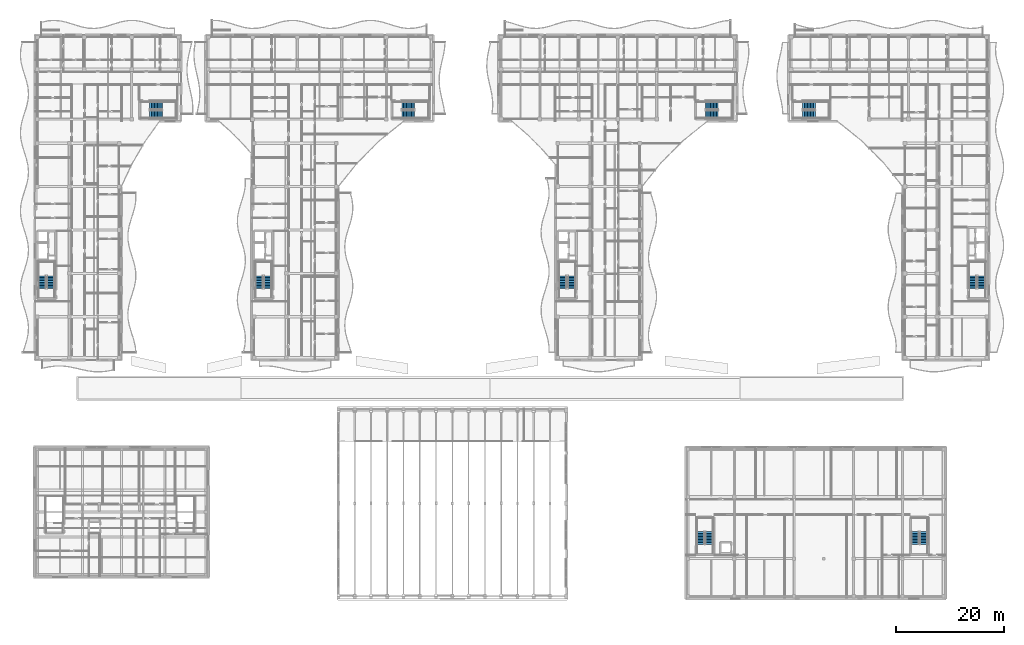
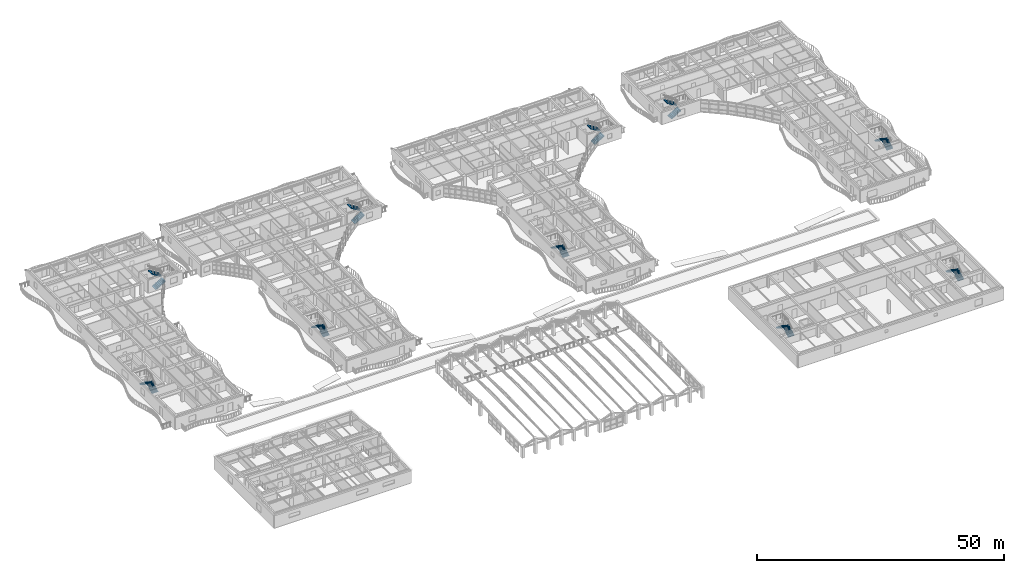
# One storey, part 101 of 128: 20 stair flights, 10 elements without a shape of their own.
"""IFC4 building model written with IfcOpenShell, lengths in metres."""

from ifc_helpers import new_model, si_unit, direction, frame, origin, place, context, subcontext, project, spatial, polyline, outline, extrude, material, type_object, element, aggregate, save


model = new_model("IFC4")

# Units and contexts
model_context = context("Model", 3, precision=1e-05, world=origin(), true_north=direction((0.0, 1.0)))
body_context = subcontext(model_context, "Body", "Model", "MODEL_VIEW")
ifc_project = project(units=[si_unit("LENGTHUNIT", "METRE"), si_unit("AREAUNIT", "SQUARE_METRE"), si_unit("VOLUMEUNIT", "CUBIC_METRE"), si_unit("PLANEANGLEUNIT", "RADIAN"), si_unit("MASSUNIT", "GRAM", prefix="KILO")], contexts=[model_context])

# Site, building, storey
site_placement = place(None, origin())
site = spatial("IfcSite", under=ifc_project, at=site_placement, CompositionType="ELEMENT")
building_placement = place(site_placement, origin())
building = spatial("IfcBuilding", under=site, at=building_placement, Name="Keldmere Railside Commons", CompositionType="ELEMENT")
storey_placement = place(building_placement, frame((0.0, 0.0, 4.159912109375)))
storey = spatial("IfcBuildingStorey", under=building, at=storey_placement, Name="L01", CompositionType="ELEMENT", Elevation=4.159912109375)

# Stair, stair flights
ifc_material = material(Name="Concrete H-30 (C30/37)", Category="concrete")
stair_type_1 = type_object("IfcStairType", Name="Basement Garage Dogleg Escape Stair 1450", PredefinedType="HALF_TURN_STAIR", material=ifc_material)
stair_1_placement = place(storey_placement, origin())
stair_1 = element("IfcStair", 1, at=stair_1_placement, inside=storey, type_object=stair_type_1, Name="L01 Block B Primary Escape Stair 1", PredefinedType="HALF_TURN_STAIR")
stair_flight_type_1 = type_object("IfcStairFlightType", Name="Basement Escape Stair Flight 1450", PredefinedType="STRAIGHT", material=ifc_material)
stair_flight_1_placement = place(storey_placement, frame((106.97509765625, 69.199951171875, 0.0), z_axis=(0.0, 0.0, 1.0), x_axis=(0.0, 1.0, 0.0)))
stair_flight_1 = element("IfcStairFlight", 2, at=stair_flight_1_placement, type_object=stair_flight_type_1, Name="ST-B1 flight 1", NumberOfRisers=9, NumberOfTreads=8, PredefinedType="STRAIGHT", RiserHeight=0.177777778, TreadLength=0.29, context=body_context, shape_type="SweptSolid", body=[
    extrude(outline(polyline([(0.0, 0.0), (0.0, 0.177734375), (0.2900390625, 0.177734375), (0.2900390625, 0.35546875), (0.580078125, 0.35546875), (0.580078125, 0.533447265625), (0.8701171875, 0.533447265625), (0.8701171875, 0.711181640625), (1.159912109375, 0.711181640625), (1.159912109375, 0.888916015625), (1.449951171875, 0.888916015625), (1.449951171875, 1.066650390625), (1.739990234375, 1.066650390625), (1.739990234375, 1.244384765625), (2.030029296875, 1.244384765625), (2.030029296875, 1.422119140625), (2.320068359375, 1.422119140625), (2.320068359375, 1.60009765625), (2.320068359375, 1.211181640625), (0.34423828125, 0.0), (0.0, 0.0)])), frame((0.0, 0.72509765625, 0.0), z_axis=(0.0, -1.0, 0.0), x_axis=(1.0, 0.0, 0.0)), (0.0, 0.0, 1.0), 1.449951171875),
])
stair_flight_2_placement = place(storey_placement, frame((105.375, 71.52001953125, 1.60009765625), z_axis=(0.0, 0.0, 1.0), x_axis=(0.0, -1.0, 0.0)))
stair_flight_2 = element("IfcStairFlight", 3, at=stair_flight_2_placement, type_object=stair_flight_type_1, Name="ST-B1 flight 2", NumberOfRisers=9, NumberOfTreads=8, PredefinedType="STRAIGHT", RiserHeight=0.177777778, TreadLength=0.29, context=body_context, shape_type="SweptSolid", body=[
    extrude(outline(polyline([(0.0, 0.0), (0.0, 0.177734375), (0.2900390625, 0.177734375), (0.2900390625, 0.35546875), (0.580078125, 0.35546875), (0.580078125, 0.533447265625), (0.8701171875, 0.533447265625), (0.8701171875, 0.711181640625), (1.159912109375, 0.711181640625), (1.159912109375, 0.888916015625), (1.449951171875, 0.888916015625), (1.449951171875, 1.066650390625), (1.739990234375, 1.066650390625), (1.739990234375, 1.244384765625), (2.030029296875, 1.244384765625), (2.030029296875, 1.422119140625), (2.320068359375, 1.422119140625), (2.320068359375, 1.60009765625), (2.320068359375, 1.211181640625), (0.34423828125, 0.0), (0.0, 0.0)])), frame((0.0, 0.72509765625, 0.0), z_axis=(0.0, -1.0, 0.0), x_axis=(1.0, 0.0, 0.0)), (0.0, 0.0, 1.0), 1.449951171875),
])
aggregate(stair_1, [stair_flight_1, stair_flight_2])

stair_2_placement = place(storey_placement, origin())
stair_2 = element("IfcStair", 4, at=stair_2_placement, inside=storey, type_object=stair_type_1, Name="L01 Block B Secondary Escape Stair 2", PredefinedType="HALF_TURN_STAIR")
stair_flight_3_placement = place(storey_placement, frame((131.699951171875, 101.324951171875, 0.0), z_axis=(0.0, 0.0, 1.0), x_axis=(1.0, 0.0, 0.0)))
stair_flight_3 = element("IfcStairFlight", 5, at=stair_flight_3_placement, type_object=stair_flight_type_1, Name="ST-B2 flight 1", NumberOfRisers=9, NumberOfTreads=8, PredefinedType="STRAIGHT", RiserHeight=0.177777778, TreadLength=0.29, context=body_context, shape_type="SweptSolid", body=[
    extrude(outline(polyline([(0.0, 0.0), (0.0, 0.177734375), (0.2900390625, 0.177734375), (0.2900390625, 0.35546875), (0.580078125, 0.35546875), (0.580078125, 0.533447265625), (0.8701171875, 0.533447265625), (0.8701171875, 0.711181640625), (1.159912109375, 0.711181640625), (1.159912109375, 0.888916015625), (1.449951171875, 0.888916015625), (1.449951171875, 1.066650390625), (1.739990234375, 1.066650390625), (1.739990234375, 1.244384765625), (2.030029296875, 1.244384765625), (2.030029296875, 1.422119140625), (2.320068359375, 1.422119140625), (2.320068359375, 1.60009765625), (2.320068359375, 1.211181640625), (0.34423828125, 0.0), (0.0, 0.0)])), frame((0.0, 0.72509765625, 0.0), z_axis=(0.0, -1.0, 0.0), x_axis=(1.0, 0.0, 0.0)), (0.0, 0.0, 1.0), 1.449951171875),
])
stair_flight_4_placement = place(storey_placement, frame((134.02001953125, 102.925048828125, 1.60009765625), z_axis=(0.0, 0.0, 1.0), x_axis=(-1.0, 0.0, 0.0)))
stair_flight_4 = element("IfcStairFlight", 6, at=stair_flight_4_placement, type_object=stair_flight_type_1, Name="ST-B2 flight 2", NumberOfRisers=9, NumberOfTreads=8, PredefinedType="STRAIGHT", RiserHeight=0.177777778, TreadLength=0.29, context=body_context, shape_type="SweptSolid", body=[
    extrude(outline(polyline([(0.0, 0.0), (0.0, 0.177734375), (0.2900390625, 0.177734375), (0.2900390625, 0.35546875), (0.580078125, 0.35546875), (0.580078125, 0.533447265625), (0.8701171875, 0.533447265625), (0.8701171875, 0.711181640625), (1.159912109375, 0.711181640625), (1.159912109375, 0.888916015625), (1.449951171875, 0.888916015625), (1.449951171875, 1.066650390625), (1.739990234375, 1.066650390625), (1.739990234375, 1.244384765625), (2.030029296875, 1.244384765625), (2.030029296875, 1.422119140625), (2.320068359375, 1.422119140625), (2.320068359375, 1.60009765625), (2.320068359375, 1.211181640625), (0.34423828125, 0.0), (0.0, 0.0)])), frame((0.0, 0.72509765625, 0.0), z_axis=(0.0, -1.0, 0.0), x_axis=(1.0, 0.0, 0.0)), (0.0, 0.0, 1.0), 1.449951171875),
])
aggregate(stair_2, [stair_flight_3, stair_flight_4])

stair_type_2 = type_object("IfcStairType", Name="Market Arcade Public Dogleg Stair 1420", PredefinedType="HALF_TURN_STAIR", material=ifc_material)
stair_3_placement = place(storey_placement, origin())
stair_3 = element("IfcStair", 7, at=stair_3_placement, inside=storey, type_object=stair_type_2, Name="L01 Market Arcade Escape Stair ST-M1", PredefinedType="HALF_TURN_STAIR")
stair_flight_type_2 = type_object("IfcStairFlightType", Name="Market Arcade Stair Flight 1420", PredefinedType="STRAIGHT", material=ifc_material)
stair_flight_5_placement = place(storey_placement, frame((132.340087890625, 22.050048828125, 0.0), z_axis=(0.0, 0.0, 1.0), x_axis=(0.0, 1.0, 0.0)))
stair_flight_5 = element("IfcStairFlight", 8, at=stair_flight_5_placement, type_object=stair_flight_type_2, Name="ST-M1 flight 1", NumberOfRisers=9, NumberOfTreads=8, PredefinedType="STRAIGHT", RiserHeight=0.177777778, TreadLength=0.29, context=body_context, shape_type="SweptSolid", body=[
    extrude(outline(polyline([(0.0, 0.0), (0.0, 0.177734375), (0.2900390625, 0.177734375), (0.2900390625, 0.35546875), (0.580078125, 0.35546875), (0.580078125, 0.533447265625), (0.8701171875, 0.533447265625), (0.8701171875, 0.711181640625), (1.159912109375, 0.711181640625), (1.159912109375, 0.888916015625), (1.449951171875, 0.888916015625), (1.449951171875, 1.066650390625), (1.739990234375, 1.066650390625), (1.739990234375, 1.244384765625), (2.030029296875, 1.244384765625), (2.030029296875, 1.422119140625), (2.320068359375, 1.422119140625), (2.320068359375, 1.60009765625), (2.320068359375, 1.211181640625), (0.34423828125, 0.0), (0.0, 0.0)])), frame((0.0, 0.7099609375, 0.0), z_axis=(0.0, -1.0, 0.0), x_axis=(1.0, 0.0, 0.0)), (0.0, 0.0, 1.0), 1.419921875),
])
stair_flight_6_placement = place(storey_placement, frame((130.77001953125, 24.3701171875, 1.60009765625), z_axis=(0.0, 0.0, 1.0), x_axis=(0.0, -1.0, 0.0)))
stair_flight_6 = element("IfcStairFlight", 9, at=stair_flight_6_placement, type_object=stair_flight_type_2, Name="ST-M1 flight 2", NumberOfRisers=9, NumberOfTreads=8, PredefinedType="STRAIGHT", RiserHeight=0.177777778, TreadLength=0.29, context=body_context, shape_type="SweptSolid", body=[
    extrude(outline(polyline([(0.0, 0.0), (0.0, 0.177734375), (0.2900390625, 0.177734375), (0.2900390625, 0.35546875), (0.580078125, 0.35546875), (0.580078125, 0.533447265625), (0.8701171875, 0.533447265625), (0.8701171875, 0.711181640625), (1.159912109375, 0.711181640625), (1.159912109375, 0.888916015625), (1.449951171875, 0.888916015625), (1.449951171875, 1.066650390625), (1.739990234375, 1.066650390625), (1.739990234375, 1.244384765625), (2.030029296875, 1.244384765625), (2.030029296875, 1.422119140625), (2.320068359375, 1.422119140625), (2.320068359375, 1.60009765625), (2.320068359375, 1.211181640625), (0.34423828125, 0.0), (0.0, 0.0)])), frame((0.0, 0.7099609375, 0.0), z_axis=(0.0, -1.0, 0.0), x_axis=(1.0, 0.0, 0.0)), (0.0, 0.0, 1.0), 1.419921875),
])
aggregate(stair_3, [stair_flight_5, stair_flight_6])

stair_4_placement = place(storey_placement, origin())
stair_4 = element("IfcStair", 10, at=stair_4_placement, inside=storey, type_object=stair_type_2, Name="L01 Market Arcade Escape Stair ST-M2", PredefinedType="HALF_TURN_STAIR")
stair_flight_7_placement = place(storey_placement, frame((171.93994140625, 22.050048828125, 0.0), z_axis=(0.0, 0.0, 1.0), x_axis=(0.0, 1.0, 0.0)))
stair_flight_7 = element("IfcStairFlight", 11, at=stair_flight_7_placement, type_object=stair_flight_type_2, Name="ST-M2 flight 1", NumberOfRisers=9, NumberOfTreads=8, PredefinedType="STRAIGHT", RiserHeight=0.177777778, TreadLength=0.29, context=body_context, shape_type="SweptSolid", body=[
    extrude(outline(polyline([(0.0, 0.0), (0.0, 0.177734375), (0.2900390625, 0.177734375), (0.2900390625, 0.35546875), (0.580078125, 0.35546875), (0.580078125, 0.533447265625), (0.8701171875, 0.533447265625), (0.8701171875, 0.711181640625), (1.159912109375, 0.711181640625), (1.159912109375, 0.888916015625), (1.449951171875, 0.888916015625), (1.449951171875, 1.066650390625), (1.739990234375, 1.066650390625), (1.739990234375, 1.244384765625), (2.030029296875, 1.244384765625), (2.030029296875, 1.422119140625), (2.320068359375, 1.422119140625), (2.320068359375, 1.60009765625), (2.320068359375, 1.211181640625), (0.34423828125, 0.0), (0.0, 0.0)])), frame((0.0, 0.7099609375, 0.0), z_axis=(0.0, -1.0, 0.0), x_axis=(1.0, 0.0, 0.0)), (0.0, 0.0, 1.0), 1.419921875),
])
stair_flight_8_placement = place(storey_placement, frame((170.3701171875, 24.3701171875, 1.60009765625), z_axis=(0.0, 0.0, 1.0), x_axis=(0.0, -1.0, 0.0)))
stair_flight_8 = element("IfcStairFlight", 12, at=stair_flight_8_placement, type_object=stair_flight_type_2, Name="ST-M2 flight 2", NumberOfRisers=9, NumberOfTreads=8, PredefinedType="STRAIGHT", RiserHeight=0.177777778, TreadLength=0.29, context=body_context, shape_type="SweptSolid", body=[
    extrude(outline(polyline([(0.0, 0.0), (0.0, 0.177734375), (0.2900390625, 0.177734375), (0.2900390625, 0.35546875), (0.580078125, 0.35546875), (0.580078125, 0.533447265625), (0.8701171875, 0.533447265625), (0.8701171875, 0.711181640625), (1.159912109375, 0.711181640625), (1.159912109375, 0.888916015625), (1.449951171875, 0.888916015625), (1.449951171875, 1.066650390625), (1.739990234375, 1.066650390625), (1.739990234375, 1.244384765625), (2.030029296875, 1.244384765625), (2.030029296875, 1.422119140625), (2.320068359375, 1.422119140625), (2.320068359375, 1.60009765625), (2.320068359375, 1.211181640625), (0.34423828125, 0.0), (0.0, 0.0)])), frame((0.0, 0.7099609375, 0.0), z_axis=(0.0, -1.0, 0.0), x_axis=(1.0, 0.0, 0.0)), (0.0, 0.0, 1.0), 1.419921875),
])
aggregate(stair_4, [stair_flight_7, stair_flight_8])

stair_type_3 = type_object("IfcStairType", Name="Residential Core Dogleg Stair 1450", PredefinedType="HALF_TURN_STAIR", material=ifc_material)
stair_5_placement = place(storey_placement, origin())
stair_5 = element("IfcStair", 13, at=stair_5_placement, inside=storey, type_object=stair_type_3, Name="L01 Block D Primary Escape Stair 1", PredefinedType="HALF_TURN_STAIR")
stair_flight_type_3 = type_object("IfcStairFlightType", Name="Residential Core Stair Flight 1450", PredefinedType="STRAIGHT", material=ifc_material)
stair_flight_9_placement = place(storey_placement, frame((10.97509765625, 69.199951171875, 0.0), z_axis=(0.0, 0.0, 1.0), x_axis=(0.0, 1.0, 0.0)))
stair_flight_9 = element("IfcStairFlight", 14, at=stair_flight_9_placement, type_object=stair_flight_type_3, Name="ST-D1 flight 1", NumberOfRisers=9, NumberOfTreads=8, PredefinedType="STRAIGHT", RiserHeight=0.177777778, TreadLength=0.29, context=body_context, shape_type="SweptSolid", body=[
    extrude(outline(polyline([(0.0, 0.0), (0.0, 0.177734375), (0.2900390625, 0.177734375), (0.2900390625, 0.35546875), (0.580078125, 0.35546875), (0.580078125, 0.533447265625), (0.8701171875, 0.533447265625), (0.8701171875, 0.711181640625), (1.159912109375, 0.711181640625), (1.159912109375, 0.888916015625), (1.449951171875, 0.888916015625), (1.449951171875, 1.066650390625), (1.739990234375, 1.066650390625), (1.739990234375, 1.244384765625), (2.030029296875, 1.244384765625), (2.030029296875, 1.422119140625), (2.320068359375, 1.422119140625), (2.320068359375, 1.60009765625), (2.320068359375, 1.211181640625), (0.34423828125, 0.0), (0.0, 0.0)])), frame((0.0, 0.72509765625, 0.0), z_axis=(0.0, -1.0, 0.0), x_axis=(1.0, 0.0, 0.0)), (0.0, 0.0, 1.0), 1.449951171875),
])
stair_flight_10_placement = place(storey_placement, frame((9.375, 71.52001953125, 1.60009765625), z_axis=(0.0, 0.0, 1.0), x_axis=(0.0, -1.0, 0.0)))
stair_flight_10 = element("IfcStairFlight", 15, at=stair_flight_10_placement, type_object=stair_flight_type_3, Name="ST-D1 flight 2", NumberOfRisers=9, NumberOfTreads=8, PredefinedType="STRAIGHT", RiserHeight=0.177777778, TreadLength=0.29, context=body_context, shape_type="SweptSolid", body=[
    extrude(outline(polyline([(0.0, 0.0), (0.0, 0.177734375), (0.2900390625, 0.177734375), (0.2900390625, 0.35546875), (0.580078125, 0.35546875), (0.580078125, 0.533447265625), (0.8701171875, 0.533447265625), (0.8701171875, 0.711181640625), (1.159912109375, 0.711181640625), (1.159912109375, 0.888916015625), (1.449951171875, 0.888916015625), (1.449951171875, 1.066650390625), (1.739990234375, 1.066650390625), (1.739990234375, 1.244384765625), (2.030029296875, 1.244384765625), (2.030029296875, 1.422119140625), (2.320068359375, 1.422119140625), (2.320068359375, 1.60009765625), (2.320068359375, 1.211181640625), (0.34423828125, 0.0), (0.0, 0.0)])), frame((0.0, 0.72509765625, 0.0), z_axis=(0.0, -1.0, 0.0), x_axis=(1.0, 0.0, 0.0)), (0.0, 0.0, 1.0), 1.449951171875),
])
aggregate(stair_5, [stair_flight_9, stair_flight_10])

stair_6_placement = place(storey_placement, origin())
stair_6 = element("IfcStair", 16, at=stair_6_placement, inside=storey, type_object=stair_type_3, Name="L01 Block D Secondary Escape Stair 2", PredefinedType="HALF_TURN_STAIR")
stair_flight_11_placement = place(storey_placement, frame((29.199951171875, 101.324951171875, 0.0), z_axis=(0.0, 0.0, 1.0), x_axis=(1.0, 0.0, 0.0)))
stair_flight_11 = element("IfcStairFlight", 17, at=stair_flight_11_placement, type_object=stair_flight_type_3, Name="ST-D2 flight 1", NumberOfRisers=9, NumberOfTreads=8, PredefinedType="STRAIGHT", RiserHeight=0.177777778, TreadLength=0.29, context=body_context, shape_type="SweptSolid", body=[
    extrude(outline(polyline([(0.0, 0.0), (0.0, 0.177734375), (0.2900390625, 0.177734375), (0.2900390625, 0.35546875), (0.580078125, 0.35546875), (0.580078125, 0.533447265625), (0.8701171875, 0.533447265625), (0.8701171875, 0.711181640625), (1.159912109375, 0.711181640625), (1.159912109375, 0.888916015625), (1.449951171875, 0.888916015625), (1.449951171875, 1.066650390625), (1.739990234375, 1.066650390625), (1.739990234375, 1.244384765625), (2.030029296875, 1.244384765625), (2.030029296875, 1.422119140625), (2.320068359375, 1.422119140625), (2.320068359375, 1.60009765625), (2.320068359375, 1.211181640625), (0.34423828125, 0.0), (0.0, 0.0)])), frame((0.0, 0.72509765625, 0.0), z_axis=(0.0, -1.0, 0.0), x_axis=(1.0, 0.0, 0.0)), (0.0, 0.0, 1.0), 1.449951171875),
])
stair_flight_12_placement = place(storey_placement, frame((31.52001953125, 102.925048828125, 1.60009765625), z_axis=(0.0, 0.0, 1.0), x_axis=(-1.0, 0.0, 0.0)))
stair_flight_12 = element("IfcStairFlight", 18, at=stair_flight_12_placement, type_object=stair_flight_type_3, Name="ST-D2 flight 2", NumberOfRisers=9, NumberOfTreads=8, PredefinedType="STRAIGHT", RiserHeight=0.177777778, TreadLength=0.29, context=body_context, shape_type="SweptSolid", body=[
    extrude(outline(polyline([(0.0, 0.0), (0.0, 0.177734375), (0.2900390625, 0.177734375), (0.2900390625, 0.35546875), (0.580078125, 0.35546875), (0.580078125, 0.533447265625), (0.8701171875, 0.533447265625), (0.8701171875, 0.711181640625), (1.159912109375, 0.711181640625), (1.159912109375, 0.888916015625), (1.449951171875, 0.888916015625), (1.449951171875, 1.066650390625), (1.739990234375, 1.066650390625), (1.739990234375, 1.244384765625), (2.030029296875, 1.244384765625), (2.030029296875, 1.422119140625), (2.320068359375, 1.422119140625), (2.320068359375, 1.60009765625), (2.320068359375, 1.211181640625), (0.34423828125, 0.0), (0.0, 0.0)])), frame((0.0, 0.72509765625, 0.0), z_axis=(0.0, -1.0, 0.0), x_axis=(1.0, 0.0, 0.0)), (0.0, 0.0, 1.0), 1.449951171875),
])
aggregate(stair_6, [stair_flight_11, stair_flight_12])

stair_7_placement = place(storey_placement, origin())
stair_7 = element("IfcStair", 19, at=stair_7_placement, inside=storey, type_object=stair_type_3, Name="L01 Block C Primary Escape Stair 1", PredefinedType="HALF_TURN_STAIR")
stair_flight_13_placement = place(storey_placement, frame((50.97509765625, 69.199951171875, 0.0), z_axis=(0.0, 0.0, 1.0), x_axis=(0.0, 1.0, 0.0)))
stair_flight_13 = element("IfcStairFlight", 20, at=stair_flight_13_placement, type_object=stair_flight_type_3, Name="ST-C1 flight 1", NumberOfRisers=9, NumberOfTreads=8, PredefinedType="STRAIGHT", RiserHeight=0.177777778, TreadLength=0.29, context=body_context, shape_type="SweptSolid", body=[
    extrude(outline(polyline([(0.0, 0.0), (0.0, 0.177734375), (0.2900390625, 0.177734375), (0.2900390625, 0.35546875), (0.580078125, 0.35546875), (0.580078125, 0.533447265625), (0.8701171875, 0.533447265625), (0.8701171875, 0.711181640625), (1.159912109375, 0.711181640625), (1.159912109375, 0.888916015625), (1.449951171875, 0.888916015625), (1.449951171875, 1.066650390625), (1.739990234375, 1.066650390625), (1.739990234375, 1.244384765625), (2.030029296875, 1.244384765625), (2.030029296875, 1.422119140625), (2.320068359375, 1.422119140625), (2.320068359375, 1.60009765625), (2.320068359375, 1.211181640625), (0.34423828125, 0.0), (0.0, 0.0)])), frame((0.0, 0.72509765625, 0.0), z_axis=(0.0, -1.0, 0.0), x_axis=(1.0, 0.0, 0.0)), (0.0, 0.0, 1.0), 1.449951171875),
])
stair_flight_14_placement = place(storey_placement, frame((49.375, 71.52001953125, 1.60009765625), z_axis=(0.0, 0.0, 1.0), x_axis=(0.0, -1.0, 0.0)))
stair_flight_14 = element("IfcStairFlight", 21, at=stair_flight_14_placement, type_object=stair_flight_type_3, Name="ST-C1 flight 2", NumberOfRisers=9, NumberOfTreads=8, PredefinedType="STRAIGHT", RiserHeight=0.177777778, TreadLength=0.29, context=body_context, shape_type="SweptSolid", body=[
    extrude(outline(polyline([(0.0, 0.0), (0.0, 0.177734375), (0.2900390625, 0.177734375), (0.2900390625, 0.35546875), (0.580078125, 0.35546875), (0.580078125, 0.533447265625), (0.8701171875, 0.533447265625), (0.8701171875, 0.711181640625), (1.159912109375, 0.711181640625), (1.159912109375, 0.888916015625), (1.449951171875, 0.888916015625), (1.449951171875, 1.066650390625), (1.739990234375, 1.066650390625), (1.739990234375, 1.244384765625), (2.030029296875, 1.244384765625), (2.030029296875, 1.422119140625), (2.320068359375, 1.422119140625), (2.320068359375, 1.60009765625), (2.320068359375, 1.211181640625), (0.34423828125, 0.0), (0.0, 0.0)])), frame((0.0, 0.72509765625, 0.0), z_axis=(0.0, -1.0, 0.0), x_axis=(1.0, 0.0, 0.0)), (0.0, 0.0, 1.0), 1.449951171875),
])
aggregate(stair_7, [stair_flight_13, stair_flight_14])

stair_8_placement = place(storey_placement, origin())
stair_8 = element("IfcStair", 22, at=stair_8_placement, inside=storey, type_object=stair_type_3, Name="L01 Block C Secondary Escape Stair 2", PredefinedType="HALF_TURN_STAIR")
stair_flight_15_placement = place(storey_placement, frame((75.699951171875, 101.324951171875, 0.0), z_axis=(0.0, 0.0, 1.0), x_axis=(1.0, 0.0, 0.0)))
stair_flight_15 = element("IfcStairFlight", 23, at=stair_flight_15_placement, type_object=stair_flight_type_3, Name="ST-C2 flight 1", NumberOfRisers=9, NumberOfTreads=8, PredefinedType="STRAIGHT", RiserHeight=0.177777778, TreadLength=0.29, context=body_context, shape_type="SweptSolid", body=[
    extrude(outline(polyline([(0.0, 0.0), (0.0, 0.177734375), (0.2900390625, 0.177734375), (0.2900390625, 0.35546875), (0.580078125, 0.35546875), (0.580078125, 0.533447265625), (0.8701171875, 0.533447265625), (0.8701171875, 0.711181640625), (1.159912109375, 0.711181640625), (1.159912109375, 0.888916015625), (1.449951171875, 0.888916015625), (1.449951171875, 1.066650390625), (1.739990234375, 1.066650390625), (1.739990234375, 1.244384765625), (2.030029296875, 1.244384765625), (2.030029296875, 1.422119140625), (2.320068359375, 1.422119140625), (2.320068359375, 1.60009765625), (2.320068359375, 1.211181640625), (0.34423828125, 0.0), (0.0, 0.0)])), frame((0.0, 0.72509765625, 0.0), z_axis=(0.0, -1.0, 0.0), x_axis=(1.0, 0.0, 0.0)), (0.0, 0.0, 1.0), 1.449951171875),
])
stair_flight_16_placement = place(storey_placement, frame((78.02001953125, 102.925048828125, 1.60009765625), z_axis=(0.0, 0.0, 1.0), x_axis=(-1.0, 0.0, 0.0)))
stair_flight_16 = element("IfcStairFlight", 24, at=stair_flight_16_placement, type_object=stair_flight_type_3, Name="ST-C2 flight 2", NumberOfRisers=9, NumberOfTreads=8, PredefinedType="STRAIGHT", RiserHeight=0.177777778, TreadLength=0.29, context=body_context, shape_type="SweptSolid", body=[
    extrude(outline(polyline([(0.0, 0.0), (0.0, 0.177734375), (0.2900390625, 0.177734375), (0.2900390625, 0.35546875), (0.580078125, 0.35546875), (0.580078125, 0.533447265625), (0.8701171875, 0.533447265625), (0.8701171875, 0.711181640625), (1.159912109375, 0.711181640625), (1.159912109375, 0.888916015625), (1.449951171875, 0.888916015625), (1.449951171875, 1.066650390625), (1.739990234375, 1.066650390625), (1.739990234375, 1.244384765625), (2.030029296875, 1.244384765625), (2.030029296875, 1.422119140625), (2.320068359375, 1.422119140625), (2.320068359375, 1.60009765625), (2.320068359375, 1.211181640625), (0.34423828125, 0.0), (0.0, 0.0)])), frame((0.0, 0.72509765625, 0.0), z_axis=(0.0, -1.0, 0.0), x_axis=(1.0, 0.0, 0.0)), (0.0, 0.0, 1.0), 1.449951171875),
])
aggregate(stair_8, [stair_flight_15, stair_flight_16])

stair_9_placement = place(storey_placement, origin())
stair_9 = element("IfcStair", 25, at=stair_9_placement, inside=storey, type_object=stair_type_3, Name="L01 Block A Primary Escape Stair 1", PredefinedType="HALF_TURN_STAIR")
stair_flight_17_placement = place(storey_placement, frame((182.574951171875, 69.199951171875, 0.0), z_axis=(0.0, 0.0, 1.0), x_axis=(0.0, 1.0, 0.0)))
stair_flight_17 = element("IfcStairFlight", 26, at=stair_flight_17_placement, type_object=stair_flight_type_3, Name="ST-A1 flight 1", NumberOfRisers=9, NumberOfTreads=8, PredefinedType="STRAIGHT", RiserHeight=0.177777778, TreadLength=0.29, context=body_context, shape_type="SweptSolid", body=[
    extrude(outline(polyline([(0.0, 0.0), (0.0, 0.177734375), (0.2900390625, 0.177734375), (0.2900390625, 0.35546875), (0.580078125, 0.35546875), (0.580078125, 0.533447265625), (0.8701171875, 0.533447265625), (0.8701171875, 0.711181640625), (1.159912109375, 0.711181640625), (1.159912109375, 0.888916015625), (1.449951171875, 0.888916015625), (1.449951171875, 1.066650390625), (1.739990234375, 1.066650390625), (1.739990234375, 1.244384765625), (2.030029296875, 1.244384765625), (2.030029296875, 1.422119140625), (2.320068359375, 1.422119140625), (2.320068359375, 1.60009765625), (2.320068359375, 1.211181640625), (0.34423828125, 0.0), (0.0, 0.0)])), frame((0.0, 0.72509765625, 0.0), z_axis=(0.0, -1.0, 0.0), x_axis=(1.0, 0.0, 0.0)), (0.0, 0.0, 1.0), 1.449951171875),
])
stair_flight_18_placement = place(storey_placement, frame((180.97509765625, 71.52001953125, 1.60009765625), z_axis=(0.0, 0.0, 1.0), x_axis=(0.0, -1.0, 0.0)))
stair_flight_18 = element("IfcStairFlight", 27, at=stair_flight_18_placement, type_object=stair_flight_type_3, Name="ST-A1 flight 2", NumberOfRisers=9, NumberOfTreads=8, PredefinedType="STRAIGHT", RiserHeight=0.177777778, TreadLength=0.29, context=body_context, shape_type="SweptSolid", body=[
    extrude(outline(polyline([(0.0, 0.0), (0.0, 0.177734375), (0.2900390625, 0.177734375), (0.2900390625, 0.35546875), (0.580078125, 0.35546875), (0.580078125, 0.533447265625), (0.8701171875, 0.533447265625), (0.8701171875, 0.711181640625), (1.159912109375, 0.711181640625), (1.159912109375, 0.888916015625), (1.449951171875, 0.888916015625), (1.449951171875, 1.066650390625), (1.739990234375, 1.066650390625), (1.739990234375, 1.244384765625), (2.030029296875, 1.244384765625), (2.030029296875, 1.422119140625), (2.320068359375, 1.422119140625), (2.320068359375, 1.60009765625), (2.320068359375, 1.211181640625), (0.34423828125, 0.0), (0.0, 0.0)])), frame((0.0, 0.72509765625, 0.0), z_axis=(0.0, -1.0, 0.0), x_axis=(1.0, 0.0, 0.0)), (0.0, 0.0, 1.0), 1.449951171875),
])
aggregate(stair_9, [stair_flight_17, stair_flight_18])

stair_10_placement = place(storey_placement, origin())
stair_10 = element("IfcStair", 28, at=stair_10_placement, inside=storey, type_object=stair_type_3, Name="L01 Block A Secondary Escape Stair 2", PredefinedType="HALF_TURN_STAIR")
stair_flight_19_placement = place(storey_placement, frame((149.60009765625, 101.324951171875, 0.0), z_axis=(0.0, 0.0, 1.0), x_axis=(1.0, 0.0, 0.0)))
stair_flight_19 = element("IfcStairFlight", 29, at=stair_flight_19_placement, type_object=stair_flight_type_3, Name="ST-A2 flight 1", NumberOfRisers=9, NumberOfTreads=8, PredefinedType="STRAIGHT", RiserHeight=0.177777778, TreadLength=0.29, context=body_context, shape_type="SweptSolid", body=[
    extrude(outline(polyline([(0.0, 0.0), (0.0, 0.177734375), (0.2900390625, 0.177734375), (0.2900390625, 0.35546875), (0.580078125, 0.35546875), (0.580078125, 0.533447265625), (0.8701171875, 0.533447265625), (0.8701171875, 0.711181640625), (1.159912109375, 0.711181640625), (1.159912109375, 0.888916015625), (1.449951171875, 0.888916015625), (1.449951171875, 1.066650390625), (1.739990234375, 1.066650390625), (1.739990234375, 1.244384765625), (2.030029296875, 1.244384765625), (2.030029296875, 1.422119140625), (2.320068359375, 1.422119140625), (2.320068359375, 1.60009765625), (2.320068359375, 1.211181640625), (0.34423828125, 0.0), (0.0, 0.0)])), frame((0.0, 0.72509765625, 0.0), z_axis=(0.0, -1.0, 0.0), x_axis=(1.0, 0.0, 0.0)), (0.0, 0.0, 1.0), 1.449951171875),
])
stair_flight_20_placement = place(storey_placement, frame((151.919921875, 102.925048828125, 1.60009765625), z_axis=(0.0, 0.0, 1.0), x_axis=(-1.0, 0.0, 0.0)))
stair_flight_20 = element("IfcStairFlight", 30, at=stair_flight_20_placement, type_object=stair_flight_type_3, Name="ST-A2 flight 2", NumberOfRisers=9, NumberOfTreads=8, PredefinedType="STRAIGHT", RiserHeight=0.177777778, TreadLength=0.29, context=body_context, shape_type="SweptSolid", body=[
    extrude(outline(polyline([(0.0, 0.0), (0.0, 0.177734375), (0.2900390625, 0.177734375), (0.2900390625, 0.35546875), (0.580078125, 0.35546875), (0.580078125, 0.533447265625), (0.8701171875, 0.533447265625), (0.8701171875, 0.711181640625), (1.159912109375, 0.711181640625), (1.159912109375, 0.888916015625), (1.449951171875, 0.888916015625), (1.449951171875, 1.066650390625), (1.739990234375, 1.066650390625), (1.739990234375, 1.244384765625), (2.030029296875, 1.244384765625), (2.030029296875, 1.422119140625), (2.320068359375, 1.422119140625), (2.320068359375, 1.60009765625), (2.320068359375, 1.211181640625), (0.34423828125, 0.0), (0.0, 0.0)])), frame((0.0, 0.72509765625, 0.0), z_axis=(0.0, -1.0, 0.0), x_axis=(1.0, 0.0, 0.0)), (0.0, 0.0, 1.0), 1.449951171875),
])
aggregate(stair_10, [stair_flight_19, stair_flight_20])

save(model, "model.ifc")
